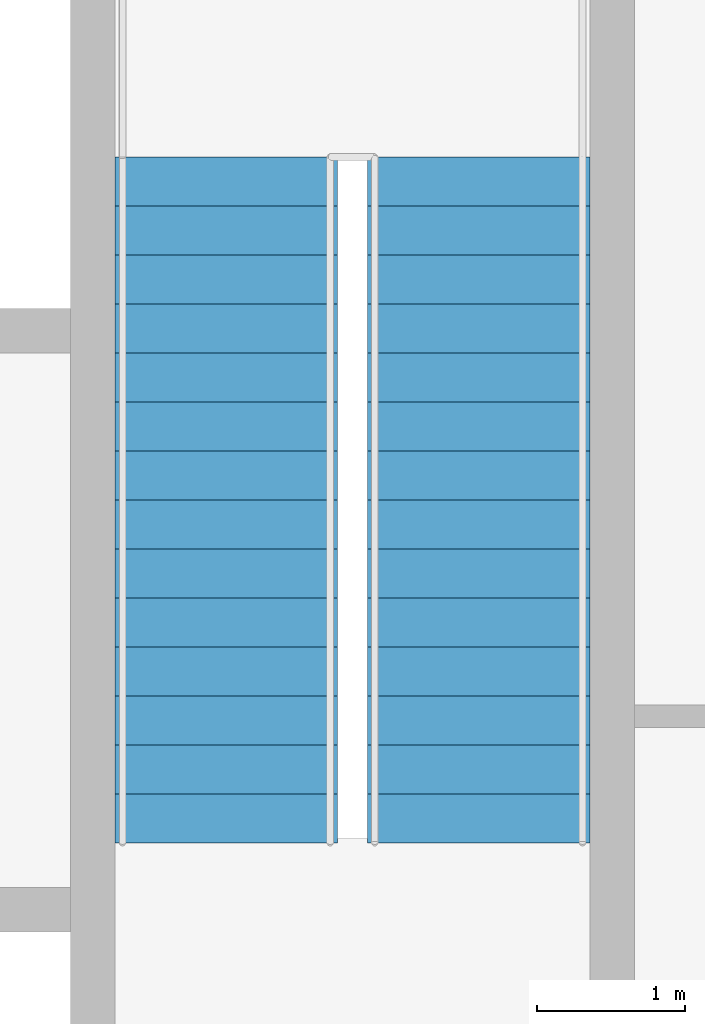
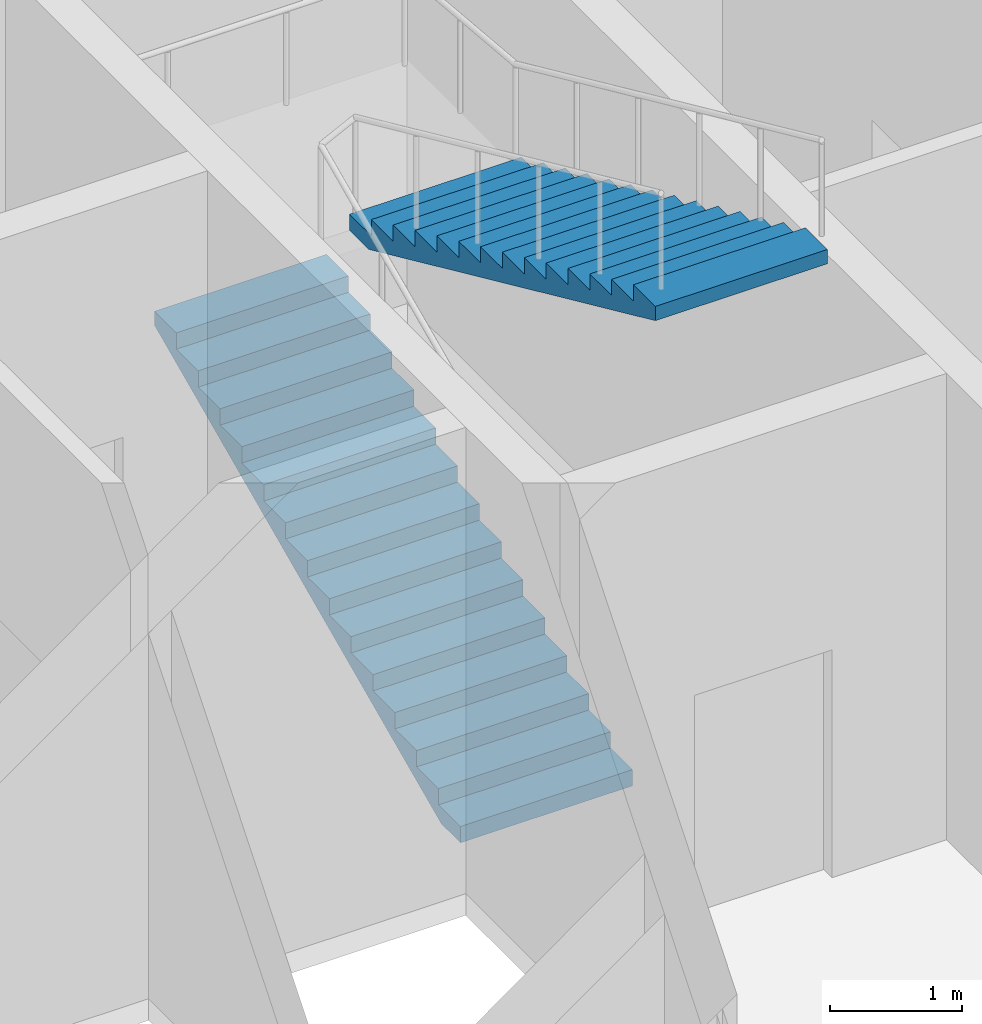
# One storey, part 10 of 11: 2 stair flights, 1 element without a shape of its own.
"""IFC4 building model written with IfcOpenShell, lengths in metres."""

from ifc_helpers import new_model, si_unit, direction, frame, origin, place, context, subcontext, project, spatial, polygons, material, type_object, element, aggregate, save


model = new_model("IFC4")

# Units and contexts
model_context = context("Model", 3, precision=1e-05, world=origin(), true_north=direction((0.0, 1.0)))
body_context = subcontext(model_context, "Body", "Model", "MODEL_VIEW")
ifc_project = project(units=[si_unit("LENGTHUNIT", "METRE"), si_unit("AREAUNIT", "SQUARE_METRE"), si_unit("VOLUMEUNIT", "CUBIC_METRE"), si_unit("PLANEANGLEUNIT", "RADIAN"), si_unit("MASSUNIT", "GRAM", prefix="KILO")], contexts=[model_context])

# Site, building, storey
site_placement = place(None, origin())
site = spatial("IfcSite", under=ifc_project, at=site_placement, CompositionType="ELEMENT")
building_placement = place(site_placement, origin())
building = spatial("IfcBuilding", under=site, at=building_placement, Name="Njiva Tower", CompositionType="ELEMENT")
storey_placement = place(building_placement, frame((0.0, 0.0, 97.8)))
storey = spatial("IfcBuildingStorey", under=building, at=storey_placement, Name="L20", CompositionType="ELEMENT", Elevation=97.8)

# Stair, stair flights
ifc_material = material(Name="Concrete C40/50", Category="concrete")
stair_type = type_object("IfcStairType", Name="ST4 Exit stair 1500", PredefinedType="HALF_TURN_STAIR", material=ifc_material)
stair_placement = place(storey_placement, origin())
stair = element("IfcStair", 1, at=stair_placement, inside=storey, type_object=stair_type, Name="Stair B", PredefinedType="HALF_TURN_STAIR")
stair_flight_type = type_object("IfcStairFlightType", Name="FL4 Stair flight 1500", PredefinedType="STRAIGHT", material=ifc_material)
stair_flight_1_placement = place(storey_placement, frame((11.75, 11.1, 0.0), z_axis=(0.0, 0.0, 1.0), x_axis=(0.0, 1.0, 0.0)))
stair_flight_1 = element("IfcStairFlight", 2, at=stair_flight_1_placement, type_object=stair_flight_type, Name="ST-B flight 1", NumberOfRisers=15, NumberOfTreads=14, PredefinedType="STRAIGHT", RiserHeight=0.15, TreadLength=0.33, context=body_context, shape_type="Tessellation", body=[
    polygons([(0.0, 0.75, 0.0), (0.0, 0.375, 0.0), (0.0, 0.0, 0.0), (0.0, -0.375, 0.0), (0.0, -0.75, 0.0), (0.0, 0.75, 0.15), (0.0, 0.375, 0.15), (0.0, 0.0, 0.15), (0.0, -0.375, 0.15), (0.0, -0.75, 0.15), (0.33, 0.75, 0.15), (0.33, 0.375, 0.15), (0.33, 0.0, 0.15), (0.33, -0.375, 0.15), (0.33, -0.75, 0.15), (0.33, 0.75, 0.3), (0.33, 0.375, 0.3), (0.33, 0.0, 0.3), (0.33, -0.375, 0.3), (0.33, -0.75, 0.3), (0.66, 0.75, 0.3), (0.66, 0.375, 0.3), (0.66, 0.0, 0.3), (0.66, -0.375, 0.3), (0.66, -0.75, 0.3), (0.66, 0.75, 0.45), (0.66, 0.375, 0.45), (0.66, 0.0, 0.45), (0.66, -0.375, 0.45), (0.66, -0.75, 0.45), (0.99, 0.75, 0.45), (0.99, 0.375, 0.45), (0.99, 0.0, 0.45), (0.99, -0.375, 0.45), (0.99, -0.75, 0.45), (0.99, 0.75, 0.6), (0.99, 0.375, 0.6), (0.99, 0.0, 0.6), (0.99, -0.375, 0.6), (0.99, -0.75, 0.6), (1.32, 0.75, 0.6), (1.32, 0.375, 0.6), (1.32, 0.0, 0.6), (1.32, -0.375, 0.6), (1.32, -0.75, 0.6), (1.32, 0.75, 0.75), (1.32, 0.375, 0.75), (1.32, 0.0, 0.75), (1.32, -0.375, 0.75), (1.32, -0.75, 0.75), (1.65, 0.75, 0.75), (1.65, 0.375, 0.75), (1.65, 0.0, 0.75), (1.65, -0.375, 0.75), (1.65, -0.75, 0.75), (1.65, 0.75, 0.9), (1.65, 0.375, 0.9), (1.65, 0.0, 0.9), (1.65, -0.375, 0.9), (1.65, -0.75, 0.9), (1.98, 0.75, 0.9), (1.98, 0.375, 0.9), (1.98, 0.0, 0.9), (1.98, -0.375, 0.9), (1.98, -0.75, 0.9), (1.98, 0.75, 1.05), (1.98, 0.375, 1.05), (1.98, 0.0, 1.05), (1.98, -0.375, 1.05), (1.98, -0.75, 1.05), (2.31, 0.75, 1.05), (2.31, 0.375, 1.05), (2.31, 0.0, 1.05), (2.31, -0.375, 1.05), (2.31, -0.75, 1.05), (2.31, 0.75, 1.2), (2.31, 0.375, 1.2), (2.31, 0.0, 1.2), (2.31, -0.375, 1.2), (2.31, -0.75, 1.2), (2.64, 0.75, 1.2), (2.64, 0.375, 1.2), (2.64, 0.0, 1.2), (2.64, -0.375, 1.2), (2.64, -0.75, 1.2), (2.64, 0.75, 1.35), (2.64, 0.375, 1.35), (2.64, 0.0, 1.35), (2.64, -0.375, 1.35), (2.64, -0.75, 1.35), (2.97, 0.75, 1.35), (2.97, 0.375, 1.35), (2.97, 0.0, 1.35), (2.97, -0.375, 1.35), (2.97, -0.75, 1.35), (2.97, 0.75, 1.5), (2.97, 0.375, 1.5), (2.97, 0.0, 1.5), (2.97, -0.375, 1.5), (2.97, -0.75, 1.5), (3.3, 0.75, 1.5), (3.3, 0.375, 1.5), (3.3, 0.0, 1.5), (3.3, -0.375, 1.5), (3.3, -0.75, 1.5), (3.3, 0.75, 1.65), (3.3, 0.375, 1.65), (3.3, 0.0, 1.65), (3.3, -0.375, 1.65), (3.3, -0.75, 1.65), (3.63, 0.75, 1.65), (3.63, 0.375, 1.65), (3.63, 0.0, 1.65), (3.63, -0.375, 1.65), (3.63, -0.75, 1.65), (3.63, 0.75, 1.8), (3.63, 0.375, 1.8), (3.63, 0.0, 1.8), (3.63, -0.375, 1.8), (3.63, -0.75, 1.8), (3.96, 0.75, 1.8), (3.96, 0.375, 1.8), (3.96, 0.0, 1.8), (3.96, -0.375, 1.8), (3.96, -0.75, 1.8), (3.96, 0.75, 1.95), (3.96, 0.375, 1.95), (3.96, 0.0, 1.95), (3.96, -0.375, 1.95), (3.96, -0.75, 1.95), (4.29, 0.75, 1.95), (4.29, 0.375, 1.95), (4.29, 0.0, 1.95), (4.29, -0.375, 1.95), (4.29, -0.75, 1.95), (4.29, 0.75, 2.1), (4.29, 0.375, 2.1), (4.29, 0.0, 2.1), (4.29, -0.375, 2.1), (4.29, -0.75, 2.1), (4.62, 0.75, 2.1), (4.62, 0.375, 2.1), (4.62, 0.0, 2.1), (4.62, -0.375, 2.1), (4.62, -0.75, 2.1), (4.62, 0.75, 1.9682), (4.62, 0.375, 1.9682), (4.62, 0.0, 1.9682), (4.62, -0.375, 1.9682), (4.62, -0.75, 1.9682), (0.29, 0.75, 0.0), (0.29, 0.375, 0.0), (0.29, 0.0, 0.0), (0.29, -0.375, 0.0), (0.29, -0.75, 0.0)], [[[1, 6, 11, 16, 21, 26, 31, 36, 41, 46, 51, 56, 61, 66, 71, 76, 81, 86, 91, 96, 101, 106, 111, 116, 121, 126, 131, 136, 141, 146, 151]], [[155, 150, 145, 140, 135, 130, 125, 120, 115, 110, 105, 100, 95, 90, 85, 80, 75, 70, 65, 60, 55, 50, 45, 40, 35, 30, 25, 20, 15, 10, 5]], [[6, 1, 2, 7]], [[7, 2, 3, 8]], [[8, 3, 4, 9]], [[9, 4, 5, 10]], [[11, 6, 7, 12]], [[12, 7, 8, 13]], [[13, 8, 9, 14]], [[14, 9, 10, 15]], [[16, 11, 12, 17]], [[17, 12, 13, 18]], [[18, 13, 14, 19]], [[19, 14, 15, 20]], [[21, 16, 17, 22]], [[22, 17, 18, 23]], [[23, 18, 19, 24]], [[24, 19, 20, 25]], [[26, 21, 22, 27]], [[27, 22, 23, 28]], [[28, 23, 24, 29]], [[29, 24, 25, 30]], [[31, 26, 27, 32]], [[32, 27, 28, 33]], [[33, 28, 29, 34]], [[34, 29, 30, 35]], [[36, 31, 32, 37]], [[37, 32, 33, 38]], [[38, 33, 34, 39]], [[39, 34, 35, 40]], [[41, 36, 37, 42]], [[42, 37, 38, 43]], [[43, 38, 39, 44]], [[44, 39, 40, 45]], [[46, 41, 42, 47]], [[47, 42, 43, 48]], [[48, 43, 44, 49]], [[49, 44, 45, 50]], [[51, 46, 47, 52]], [[52, 47, 48, 53]], [[53, 48, 49, 54]], [[54, 49, 50, 55]], [[56, 51, 52, 57]], [[57, 52, 53, 58]], [[58, 53, 54, 59]], [[59, 54, 55, 60]], [[61, 56, 57, 62]], [[62, 57, 58, 63]], [[63, 58, 59, 64]], [[64, 59, 60, 65]], [[66, 61, 62, 67]], [[67, 62, 63, 68]], [[68, 63, 64, 69]], [[69, 64, 65, 70]], [[71, 66, 67, 72]], [[72, 67, 68, 73]], [[73, 68, 69, 74]], [[74, 69, 70, 75]], [[76, 71, 72, 77]], [[77, 72, 73, 78]], [[78, 73, 74, 79]], [[79, 74, 75, 80]], [[81, 76, 77, 82]], [[82, 77, 78, 83]], [[83, 78, 79, 84]], [[84, 79, 80, 85]], [[86, 81, 82, 87]], [[87, 82, 83, 88]], [[88, 83, 84, 89]], [[89, 84, 85, 90]], [[91, 86, 87, 92]], [[92, 87, 88, 93]], [[93, 88, 89, 94]], [[94, 89, 90, 95]], [[96, 91, 92, 97]], [[97, 92, 93, 98]], [[98, 93, 94, 99]], [[99, 94, 95, 100]], [[101, 96, 97, 102]], [[102, 97, 98, 103]], [[103, 98, 99, 104]], [[104, 99, 100, 105]], [[106, 101, 102, 107]], [[107, 102, 103, 108]], [[108, 103, 104, 109]], [[109, 104, 105, 110]], [[111, 106, 107, 112]], [[112, 107, 108, 113]], [[113, 108, 109, 114]], [[114, 109, 110, 115]], [[116, 111, 112, 117]], [[117, 112, 113, 118]], [[118, 113, 114, 119]], [[119, 114, 115, 120]], [[121, 116, 117, 122]], [[122, 117, 118, 123]], [[123, 118, 119, 124]], [[124, 119, 120, 125]], [[126, 121, 122, 127]], [[127, 122, 123, 128]], [[128, 123, 124, 129]], [[129, 124, 125, 130]], [[131, 126, 127, 132]], [[132, 127, 128, 133]], [[133, 128, 129, 134]], [[134, 129, 130, 135]], [[136, 131, 132, 137]], [[137, 132, 133, 138]], [[138, 133, 134, 139]], [[139, 134, 135, 140]], [[141, 136, 137, 142]], [[142, 137, 138, 143]], [[143, 138, 139, 144]], [[144, 139, 140, 145]], [[146, 141, 142, 147]], [[147, 142, 143, 148]], [[148, 143, 144, 149]], [[149, 144, 145, 150]], [[151, 146, 147, 152]], [[152, 147, 148, 153]], [[153, 148, 149, 154]], [[154, 149, 150, 155]], [[1, 151, 152, 2]], [[2, 152, 153, 3]], [[3, 153, 154, 4]], [[4, 154, 155, 5]]], closed=True),
])
stair_flight_2_placement = place(storey_placement, frame((13.45, 15.72, 2.25), z_axis=(0.0, 0.0, 1.0), x_axis=(0.0, -1.0, 0.0)))
stair_flight_2 = element("IfcStairFlight", 3, at=stair_flight_2_placement, type_object=stair_flight_type, Name="ST-B flight 2", NumberOfRisers=15, NumberOfTreads=14, PredefinedType="STRAIGHT", RiserHeight=0.15, TreadLength=0.33, context=body_context, shape_type="Tessellation", body=[
    polygons([(0.0, 0.75, 0.0), (0.0, 0.375, 0.0), (0.0, 0.0, 0.0), (0.0, -0.375, 0.0), (0.0, -0.75, 0.0), (0.0, 0.75, 0.15), (0.0, 0.375, 0.15), (0.0, 0.0, 0.15), (0.0, -0.375, 0.15), (0.0, -0.75, 0.15), (0.33, 0.75, 0.15), (0.33, 0.375, 0.15), (0.33, 0.0, 0.15), (0.33, -0.375, 0.15), (0.33, -0.75, 0.15), (0.33, 0.75, 0.3), (0.33, 0.375, 0.3), (0.33, 0.0, 0.3), (0.33, -0.375, 0.3), (0.33, -0.75, 0.3), (0.66, 0.75, 0.3), (0.66, 0.375, 0.3), (0.66, 0.0, 0.3), (0.66, -0.375, 0.3), (0.66, -0.75, 0.3), (0.66, 0.75, 0.45), (0.66, 0.375, 0.45), (0.66, 0.0, 0.45), (0.66, -0.375, 0.45), (0.66, -0.75, 0.45), (0.99, 0.75, 0.45), (0.99, 0.375, 0.45), (0.99, 0.0, 0.45), (0.99, -0.375, 0.45), (0.99, -0.75, 0.45), (0.99, 0.75, 0.6), (0.99, 0.375, 0.6), (0.99, 0.0, 0.6), (0.99, -0.375, 0.6), (0.99, -0.75, 0.6), (1.32, 0.75, 0.6), (1.32, 0.375, 0.6), (1.32, 0.0, 0.6), (1.32, -0.375, 0.6), (1.32, -0.75, 0.6), (1.32, 0.75, 0.75), (1.32, 0.375, 0.75), (1.32, 0.0, 0.75), (1.32, -0.375, 0.75), (1.32, -0.75, 0.75), (1.65, 0.75, 0.75), (1.65, 0.375, 0.75), (1.65, 0.0, 0.75), (1.65, -0.375, 0.75), (1.65, -0.75, 0.75), (1.65, 0.75, 0.9), (1.65, 0.375, 0.9), (1.65, 0.0, 0.9), (1.65, -0.375, 0.9), (1.65, -0.75, 0.9), (1.98, 0.75, 0.9), (1.98, 0.375, 0.9), (1.98, 0.0, 0.9), (1.98, -0.375, 0.9), (1.98, -0.75, 0.9), (1.98, 0.75, 1.05), (1.98, 0.375, 1.05), (1.98, 0.0, 1.05), (1.98, -0.375, 1.05), (1.98, -0.75, 1.05), (2.31, 0.75, 1.05), (2.31, 0.375, 1.05), (2.31, 0.0, 1.05), (2.31, -0.375, 1.05), (2.31, -0.75, 1.05), (2.31, 0.75, 1.2), (2.31, 0.375, 1.2), (2.31, 0.0, 1.2), (2.31, -0.375, 1.2), (2.31, -0.75, 1.2), (2.64, 0.75, 1.2), (2.64, 0.375, 1.2), (2.64, 0.0, 1.2), (2.64, -0.375, 1.2), (2.64, -0.75, 1.2), (2.64, 0.75, 1.35), (2.64, 0.375, 1.35), (2.64, 0.0, 1.35), (2.64, -0.375, 1.35), (2.64, -0.75, 1.35), (2.97, 0.75, 1.35), (2.97, 0.375, 1.35), (2.97, 0.0, 1.35), (2.97, -0.375, 1.35), (2.97, -0.75, 1.35), (2.97, 0.75, 1.5), (2.97, 0.375, 1.5), (2.97, 0.0, 1.5), (2.97, -0.375, 1.5), (2.97, -0.75, 1.5), (3.3, 0.75, 1.5), (3.3, 0.375, 1.5), (3.3, 0.0, 1.5), (3.3, -0.375, 1.5), (3.3, -0.75, 1.5), (3.3, 0.75, 1.65), (3.3, 0.375, 1.65), (3.3, 0.0, 1.65), (3.3, -0.375, 1.65), (3.3, -0.75, 1.65), (3.63, 0.75, 1.65), (3.63, 0.375, 1.65), (3.63, 0.0, 1.65), (3.63, -0.375, 1.65), (3.63, -0.75, 1.65), (3.63, 0.75, 1.8), (3.63, 0.375, 1.8), (3.63, 0.0, 1.8), (3.63, -0.375, 1.8), (3.63, -0.75, 1.8), (3.96, 0.75, 1.8), (3.96, 0.375, 1.8), (3.96, 0.0, 1.8), (3.96, -0.375, 1.8), (3.96, -0.75, 1.8), (3.96, 0.75, 1.95), (3.96, 0.375, 1.95), (3.96, 0.0, 1.95), (3.96, -0.375, 1.95), (3.96, -0.75, 1.95), (4.29, 0.75, 1.95), (4.29, 0.375, 1.95), (4.29, 0.0, 1.95), (4.29, -0.375, 1.95), (4.29, -0.75, 1.95), (4.29, 0.75, 2.1), (4.29, 0.375, 2.1), (4.29, 0.0, 2.1), (4.29, -0.375, 2.1), (4.29, -0.75, 2.1), (4.62, 0.75, 2.1), (4.62, 0.375, 2.1), (4.62, 0.0, 2.1), (4.62, -0.375, 2.1), (4.62, -0.75, 2.1), (4.62, 0.75, 1.9682), (4.62, 0.375, 1.9682), (4.62, 0.0, 1.9682), (4.62, -0.375, 1.9682), (4.62, -0.75, 1.9682), (0.29, 0.75, 0.0), (0.29, 0.375, 0.0), (0.29, 0.0, 0.0), (0.29, -0.375, 0.0), (0.29, -0.75, 0.0)], [[[1, 6, 11, 16, 21, 26, 31, 36, 41, 46, 51, 56, 61, 66, 71, 76, 81, 86, 91, 96, 101, 106, 111, 116, 121, 126, 131, 136, 141, 146, 151]], [[155, 150, 145, 140, 135, 130, 125, 120, 115, 110, 105, 100, 95, 90, 85, 80, 75, 70, 65, 60, 55, 50, 45, 40, 35, 30, 25, 20, 15, 10, 5]], [[6, 1, 2, 7]], [[7, 2, 3, 8]], [[8, 3, 4, 9]], [[9, 4, 5, 10]], [[11, 6, 7, 12]], [[12, 7, 8, 13]], [[13, 8, 9, 14]], [[14, 9, 10, 15]], [[16, 11, 12, 17]], [[17, 12, 13, 18]], [[18, 13, 14, 19]], [[19, 14, 15, 20]], [[21, 16, 17, 22]], [[22, 17, 18, 23]], [[23, 18, 19, 24]], [[24, 19, 20, 25]], [[26, 21, 22, 27]], [[27, 22, 23, 28]], [[28, 23, 24, 29]], [[29, 24, 25, 30]], [[31, 26, 27, 32]], [[32, 27, 28, 33]], [[33, 28, 29, 34]], [[34, 29, 30, 35]], [[36, 31, 32, 37]], [[37, 32, 33, 38]], [[38, 33, 34, 39]], [[39, 34, 35, 40]], [[41, 36, 37, 42]], [[42, 37, 38, 43]], [[43, 38, 39, 44]], [[44, 39, 40, 45]], [[46, 41, 42, 47]], [[47, 42, 43, 48]], [[48, 43, 44, 49]], [[49, 44, 45, 50]], [[51, 46, 47, 52]], [[52, 47, 48, 53]], [[53, 48, 49, 54]], [[54, 49, 50, 55]], [[56, 51, 52, 57]], [[57, 52, 53, 58]], [[58, 53, 54, 59]], [[59, 54, 55, 60]], [[61, 56, 57, 62]], [[62, 57, 58, 63]], [[63, 58, 59, 64]], [[64, 59, 60, 65]], [[66, 61, 62, 67]], [[67, 62, 63, 68]], [[68, 63, 64, 69]], [[69, 64, 65, 70]], [[71, 66, 67, 72]], [[72, 67, 68, 73]], [[73, 68, 69, 74]], [[74, 69, 70, 75]], [[76, 71, 72, 77]], [[77, 72, 73, 78]], [[78, 73, 74, 79]], [[79, 74, 75, 80]], [[81, 76, 77, 82]], [[82, 77, 78, 83]], [[83, 78, 79, 84]], [[84, 79, 80, 85]], [[86, 81, 82, 87]], [[87, 82, 83, 88]], [[88, 83, 84, 89]], [[89, 84, 85, 90]], [[91, 86, 87, 92]], [[92, 87, 88, 93]], [[93, 88, 89, 94]], [[94, 89, 90, 95]], [[96, 91, 92, 97]], [[97, 92, 93, 98]], [[98, 93, 94, 99]], [[99, 94, 95, 100]], [[101, 96, 97, 102]], [[102, 97, 98, 103]], [[103, 98, 99, 104]], [[104, 99, 100, 105]], [[106, 101, 102, 107]], [[107, 102, 103, 108]], [[108, 103, 104, 109]], [[109, 104, 105, 110]], [[111, 106, 107, 112]], [[112, 107, 108, 113]], [[113, 108, 109, 114]], [[114, 109, 110, 115]], [[116, 111, 112, 117]], [[117, 112, 113, 118]], [[118, 113, 114, 119]], [[119, 114, 115, 120]], [[121, 116, 117, 122]], [[122, 117, 118, 123]], [[123, 118, 119, 124]], [[124, 119, 120, 125]], [[126, 121, 122, 127]], [[127, 122, 123, 128]], [[128, 123, 124, 129]], [[129, 124, 125, 130]], [[131, 126, 127, 132]], [[132, 127, 128, 133]], [[133, 128, 129, 134]], [[134, 129, 130, 135]], [[136, 131, 132, 137]], [[137, 132, 133, 138]], [[138, 133, 134, 139]], [[139, 134, 135, 140]], [[141, 136, 137, 142]], [[142, 137, 138, 143]], [[143, 138, 139, 144]], [[144, 139, 140, 145]], [[146, 141, 142, 147]], [[147, 142, 143, 148]], [[148, 143, 144, 149]], [[149, 144, 145, 150]], [[151, 146, 147, 152]], [[152, 147, 148, 153]], [[153, 148, 149, 154]], [[154, 149, 150, 155]], [[1, 151, 152, 2]], [[2, 152, 153, 3]], [[3, 153, 154, 4]], [[4, 154, 155, 5]]], closed=True),
])
aggregate(stair, [stair_flight_1, stair_flight_2])

save(model, "model.ifc")
